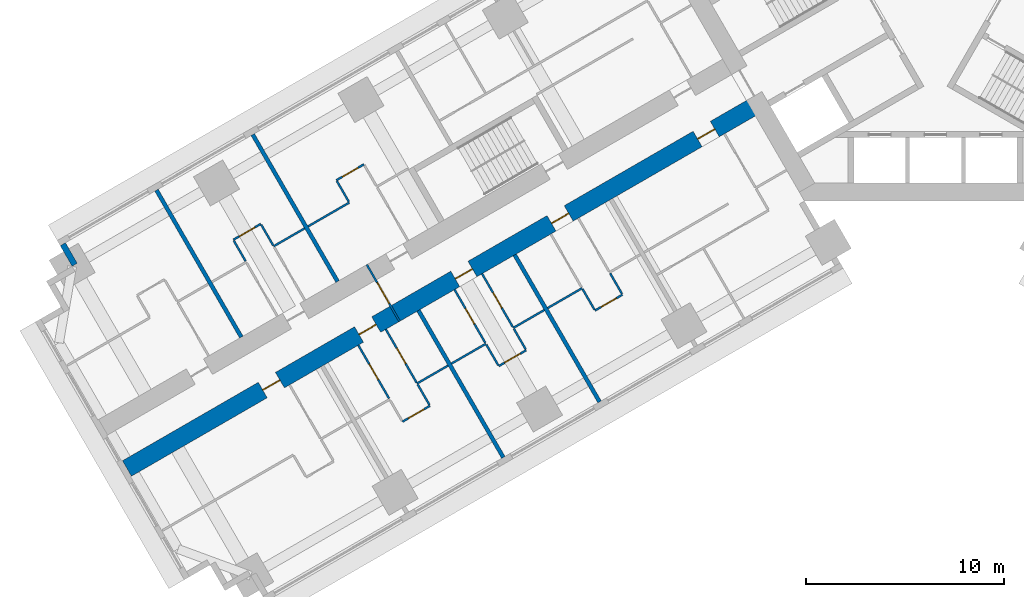
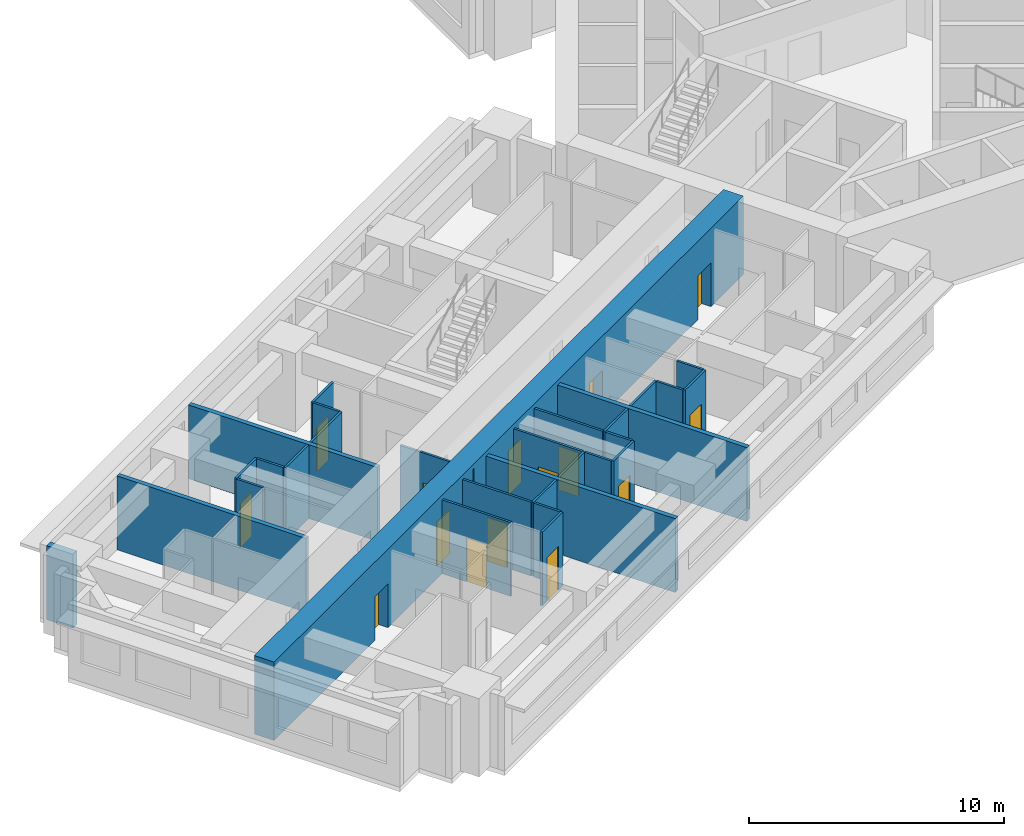
# One storey, part 4 of 16: 30 walls, 15 doors, 15 openings.
"""IFC4 building model written with IfcOpenShell, lengths in metres."""

from ifc_helpers import new_model, si_unit, direction, frame, frame_2d, origin, place, context, subcontext, project, spatial, rectangle, extrude, material, layer, layer_set, type_object, element, fill, save


model = new_model("IFC4")

# Units and contexts
model_context = context("Model", 3, precision=1e-05, world=origin(), true_north=direction((0.0, 1.0)))
body_context = subcontext(model_context, "Body", "Model", "MODEL_VIEW")
ifc_project = project(units=[si_unit("LENGTHUNIT", "METRE"), si_unit("AREAUNIT", "SQUARE_METRE"), si_unit("VOLUMEUNIT", "CUBIC_METRE"), si_unit("PLANEANGLEUNIT", "RADIAN"), si_unit("MASSUNIT", "GRAM", prefix="KILO")], contexts=[model_context])

# Site, building, storey
site_placement = place(None, origin())
site = spatial("IfcSite", under=ifc_project, at=site_placement, CompositionType="ELEMENT")
building_placement = place(site_placement, origin())
building = spatial("IfcBuilding", under=site, at=building_placement, Name="Impinga Residences", CompositionType="ELEMENT")
storey_placement = place(building_placement, frame((0.0, 0.0, 37.25)))
storey = spatial("IfcBuildingStorey", under=building, at=storey_placement, Name="L08", CompositionType="ELEMENT", Elevation=37.25)

# Wall, openings, doors
ifc_material_1 = material(Name="Concrete C70/85", Category="concrete")
ifc_layer_1 = layer(ifc_material_1, 0.89990234375)
ifc_layer_set_1 = layer_set([ifc_layer_1], Name="Concrete C70/85")
wall_type_1 = type_object("IfcWallType", Name="BW1 corridor buttress wall, L05 to L22 900", PredefinedType="SHEAR", material=ifc_layer_set_1)
wall_1_placement = place(storey_placement, frame((-8.910400390625, -6.530029296875, 0.0), z_axis=(0.0, 0.0, 1.0), x_axis=(-0.866025284237, -0.500000207062, 0.0)))
wall_1 = element("IfcWall", 1, at=wall_1_placement, inside=storey, type_object=wall_type_1, Name="Corridor wall BW1 WC L08", PredefinedType="SHEAR", context=body_context, shape_type="SweptSolid", body=[
    extrude(rectangle(XDim=36.75, YDim=0.89990234375, at=frame_2d((18.375, 0.0))), origin(), (0.0, 0.0, 1.0), 3.75),
])
opening_1_placement = place(wall_1_placement, frame((2.550048828125, 0.0, 0.0)))
opening_1 = element("IfcOpeningElement", 2, at=opening_1_placement, cuts=wall_1, Name="Opening D1", PredefinedType="OPENING", context=body_context, shape_type="SweptSolid", body=[
    extrude(rectangle(XDim=1.0, YDim=2.10009765625, at=frame_2d((0.5, 1.050048828125))), frame((0.0, 0.4599609375, 0.0), z_axis=(0.0, -1.0, 0.0), x_axis=(1.0, 0.0, 0.0)), (0.0, 0.0, 1.0), 0.919921875),
])
opening_2_placement = place(wall_1_placement, frame((11.050048828125, 0.0, 0.0)))
opening_2 = element("IfcOpeningElement", 3, at=opening_2_placement, cuts=wall_1, Name="Opening D1", PredefinedType="OPENING", context=body_context, shape_type="SweptSolid", body=[
    extrude(rectangle(XDim=1.0, YDim=2.10009765625, at=frame_2d((0.5, 1.050048828125))), frame((0.0, 0.4599609375, 0.0), z_axis=(0.0, -1.0, 0.0), x_axis=(1.0, 0.0, 0.0)), (0.0, 0.0, 1.0), 0.919921875),
])
opening_3_placement = place(wall_1_placement, frame((16.64990234375, 0.0, 0.0)))
opening_3 = element("IfcOpeningElement", 4, at=opening_3_placement, cuts=wall_1, Name="Opening D1", PredefinedType="OPENING", context=body_context, shape_type="SweptSolid", body=[
    extrude(rectangle(XDim=1.0, YDim=2.10009765625, at=frame_2d((0.5, 1.050048828125))), frame((0.0, 0.4599609375, 0.0), z_axis=(0.0, -1.0, 0.0), x_axis=(1.0, 0.0, 0.0)), (0.0, 0.0, 1.0), 0.919921875),
])
opening_4_placement = place(wall_1_placement, frame((22.25, 0.0, 0.0)))
opening_4 = element("IfcOpeningElement", 5, at=opening_4_placement, cuts=wall_1, Name="Opening D1", PredefinedType="OPENING", context=body_context, shape_type="SweptSolid", body=[
    extrude(rectangle(XDim=1.0, YDim=2.10009765625, at=frame_2d((0.5, 1.050048828125))), frame((0.0, 0.4599609375, 0.0), z_axis=(0.0, -1.0, 0.0), x_axis=(1.0, 0.0, 0.0)), (0.0, 0.0, 1.0), 0.919921875),
])
opening_5_placement = place(wall_1_placement, frame((27.85009765625, 0.0, 0.0)))
opening_5 = element("IfcOpeningElement", 6, at=opening_5_placement, cuts=wall_1, Name="Opening D1", PredefinedType="OPENING", context=body_context, shape_type="SweptSolid", body=[
    extrude(rectangle(XDim=1.0, YDim=2.10009765625, at=frame_2d((0.5, 1.050048828125))), frame((0.0, 0.4599609375, 0.0), z_axis=(0.0, -1.0, 0.0), x_axis=(1.0, 0.0, 0.0)), (0.0, 0.0, 1.0), 0.919921875),
])
ifc_material_2 = material(Name="Timber door set", Category="wood")
door_type_1 = type_object("IfcDoorType", Name="D1 apartment entrance door 1000x2100", OperationType="SINGLE_SWING_LEFT", PredefinedType="DOOR", material=ifc_material_2)
door_1_placement = place(opening_1_placement, origin())
door_1 = element("IfcDoor", 7, at=door_1_placement, inside=storey, type_object=door_type_1, Name="Apartment L08-WA1 entrance", OperationType="SINGLE_SWING_LEFT", OverallHeight=2.10009765625, OverallWidth=1.0, PredefinedType="DOOR", context=body_context, shape_type="SweptSolid", body=[
    extrude(rectangle(XDim=1.0, YDim=2.10009765625, at=frame_2d((0.5, 1.050048828125))), frame((0.0, 0.02490234375, 0.0), z_axis=(0.0, -1.0, 0.0), x_axis=(1.0, 0.0, 0.0)), (0.0, 0.0, 1.0), 0.050048828125),
])
fill(opening_1, door_1)
door_2_placement = place(opening_2_placement, origin())
door_2 = element("IfcDoor", 8, at=door_2_placement, inside=storey, type_object=door_type_1, Name="Apartment L08-WA2 entrance", OperationType="SINGLE_SWING_LEFT", OverallHeight=2.10009765625, OverallWidth=1.0, PredefinedType="DOOR", context=body_context, shape_type="SweptSolid", body=[
    extrude(rectangle(XDim=1.0, YDim=2.10009765625, at=frame_2d((0.5, 1.050048828125))), frame((0.0, 0.02490234375, 0.0), z_axis=(0.0, -1.0, 0.0), x_axis=(1.0, 0.0, 0.0)), (0.0, 0.0, 1.0), 0.050048828125),
])
fill(opening_2, door_2)
door_3_placement = place(opening_3_placement, origin())
door_3 = element("IfcDoor", 9, at=door_3_placement, inside=storey, type_object=door_type_1, Name="Apartment L08-WA3 entrance", OperationType="SINGLE_SWING_LEFT", OverallHeight=2.10009765625, OverallWidth=1.0, PredefinedType="DOOR", context=body_context, shape_type="SweptSolid", body=[
    extrude(rectangle(XDim=1.0, YDim=2.10009765625, at=frame_2d((0.5, 1.050048828125))), frame((0.0, 0.02490234375, 0.0), z_axis=(0.0, -1.0, 0.0), x_axis=(1.0, 0.0, 0.0)), (0.0, 0.0, 1.0), 0.050048828125),
])
fill(opening_3, door_3)
door_4_placement = place(opening_4_placement, origin())
door_4 = element("IfcDoor", 10, at=door_4_placement, inside=storey, type_object=door_type_1, Name="Apartment L08-WA4 entrance", OperationType="SINGLE_SWING_RIGHT", OverallHeight=2.10009765625, OverallWidth=1.0, PredefinedType="DOOR", context=body_context, shape_type="SweptSolid", body=[
    extrude(rectangle(XDim=1.0, YDim=2.10009765625, at=frame_2d((0.5, 1.050048828125))), frame((0.0, 0.02490234375, 0.0), z_axis=(0.0, -1.0, 0.0), x_axis=(1.0, 0.0, 0.0)), (0.0, 0.0, 1.0), 0.050048828125),
])
fill(opening_4, door_4)
door_5_placement = place(opening_5_placement, origin())
door_5 = element("IfcDoor", 11, at=door_5_placement, inside=storey, type_object=door_type_1, Name="Apartment L08-WA5 entrance", OperationType="SINGLE_SWING_RIGHT", OverallHeight=2.10009765625, OverallWidth=1.0, PredefinedType="DOOR", context=body_context, shape_type="SweptSolid", body=[
    extrude(rectangle(XDim=1.0, YDim=2.10009765625, at=frame_2d((0.5, 1.050048828125))), frame((0.0, 0.02490234375, 0.0), z_axis=(0.0, -1.0, 0.0), x_axis=(1.0, 0.0, 0.0)), (0.0, 0.0, 1.0), 0.050048828125),
])
fill(opening_5, door_5)

# Wall, opening, door
ifc_material_3 = material(Name="Concrete blockwork", Category="masonry")
ifc_layer_2 = layer(ifc_material_3, 0.10009765625)
ifc_layer_set_2 = layer_set([ifc_layer_2], Name="CP1 core room partition, blockwork 100")
wall_type_2 = type_object("IfcWallType", Name="CP1 core room partition, blockwork 100", PredefinedType="PARTITIONING", material=ifc_layer_set_2)
wall_2_placement = place(storey_placement, frame((-27.002197265625, -17.494873046875, 0.0), z_axis=(0.0, 0.0, 1.0), x_axis=(-0.499974350878, 0.866040211805, 0.0)))
wall_2 = element("IfcWall", 12, at=wall_2_placement, inside=storey, type_object=wall_type_2, Name="Core room partition, blockwork L08:W:SCR", PredefinedType="PARTITIONING", context=body_context, shape_type="SweptSolid", body=[
    extrude(rectangle(XDim=3.300048828125, YDim=0.10009765625, at=frame_2d((1.64990234375, 0.0))), origin(), (0.0, 0.0, 1.0), 3.530029296875),
])
opening_6_placement = place(wall_2_placement, frame((1.050048828125, 0.0, 0.0)))
opening_6 = element("IfcOpeningElement", 13, at=opening_6_placement, cuts=wall_2, Name="Opening D3", PredefinedType="OPENING", context=body_context, shape_type="SweptSolid", body=[
    extrude(rectangle(XDim=1.199951171875, YDim=2.10009765625, at=frame_2d((0.60009765625, 1.050048828125))), frame((0.0, 0.06005859375, 0.0), z_axis=(0.0, -1.0, 0.0), x_axis=(1.0, 0.0, 0.0)), (0.0, 0.0, 1.0), 0.1201171875),
])
door_type_2 = type_object("IfcDoorType", Name="D3 room door, leaf and a half 1200x2100", OperationType="DOUBLE_SWING_LEFT", PredefinedType="DOOR", material=ifc_material_2)
door_6_placement = place(opening_6_placement, origin())
door_6 = element("IfcDoor", 14, at=door_6_placement, inside=storey, type_object=door_type_2, Name="Corridor smoke door W", OperationType="DOUBLE_SWING_LEFT", OverallHeight=2.10009765625, OverallWidth=1.199951171875, PredefinedType="DOOR", context=body_context, shape_type="SweptSolid", body=[
    extrude(rectangle(XDim=1.199951171875, YDim=2.10009765625, at=frame_2d((0.60009765625, 1.050048828125))), frame((0.0, 0.02490234375, 0.0), z_axis=(0.0, -1.0, 0.0), x_axis=(1.0, 0.0, 0.0)), (0.0, 0.0, 1.0), 0.050048828125),
])
fill(opening_6, door_6)

# Walls
ifc_material_4 = material(Name="Terracotta rainscreen on blockwork", Category="masonry")
ifc_layer_3 = layer(ifc_material_4, 0.300048828125)
ifc_layer_set_3 = layer_set([ifc_layer_3], Name="EW1 external wall, terracotta rainscreen on blockwork 300")
wall_type_3 = type_object("IfcWallType", Name="EW1 external wall, terracotta rainscreen on blockwork 300", PredefinedType="SOLIDWALL", material=ifc_layer_set_3)
wall_3_placement = place(storey_placement, frame((-43.37109375, -14.64208984375, 0.0), z_axis=(0.0, 0.0, 1.0), x_axis=(-0.500029051137, 0.866008630453, 0.0)))
element("IfcWall", 15, at=wall_3_placement, inside=storey, type_object=wall_type_3, Name="External wall EW1 L08", PredefinedType="SOLIDWALL", context=body_context, shape_type="SweptSolid", body=[
    extrude(rectangle(XDim=1.19482421875, YDim=0.300048828125, at=frame_2d((0.597412109375, 0.0))), origin(), (0.0, 0.0, 1.0), 3.530029296875),
])
ifc_material_5 = material(Name="Gypsum board on steel studs", Category="steel")
ifc_layer_4 = layer(ifc_material_5, 0.10009765625)
ifc_layer_set_4 = layer_set([ifc_layer_4], Name="Gypsum board on steel studs")
wall_type_4 = type_object("IfcWallType", Name="IP1 partition 100", PredefinedType="PARTITIONING", material=ifc_layer_set_4)
wall_4_placement = place(storey_placement, frame((-17.8056640625, -15.82275390625, 0.0), z_axis=(0.0, 0.0, 1.0), x_axis=(-0.866041268327, -0.499972520799, 0.0)))
element("IfcWall", 16, at=wall_4_placement, inside=storey, type_object=wall_type_4, Name="Partition L08-WA2:DIV1", PredefinedType="PARTITIONING", context=body_context, shape_type="SweptSolid", body=[
    extrude(rectangle(XDim=2.0, YDim=0.10009765625, at=frame_2d((1.0, 0.0))), origin(), (0.0, 0.0, 1.0), 3.530029296875),
])

# Wall, opening, door
wall_5_placement = place(storey_placement, frame((-15.77001953125, -16.1484375, 0.0), z_axis=(0.0, 0.0, 1.0), x_axis=(-0.866028054938, -0.499995408039, 0.0)))
wall_5 = element("IfcWall", 17, at=wall_5_placement, inside=storey, type_object=wall_type_4, Name="Partition L08-WA2:STRIP", PredefinedType="PARTITIONING", context=body_context, shape_type="SweptSolid", body=[
    extrude(rectangle(XDim=1.60009765625, YDim=0.10009765625, at=frame_2d((0.800048828125, 0.0))), origin(), (0.0, 0.0, 1.0), 3.530029296875),
])
opening_7_placement = place(wall_5_placement, frame((0.35009765625, 0.0, 0.0)))
opening_7 = element("IfcOpeningElement", 18, at=opening_7_placement, cuts=wall_5, Name="Opening D2", PredefinedType="OPENING", context=body_context, shape_type="SweptSolid", body=[
    extrude(rectangle(XDim=0.89990234375, YDim=2.10009765625, at=frame_2d((0.449951171875, 1.050048828125))), frame((0.0, 0.06005859375, 0.0), z_axis=(0.0, -1.0, 0.0), x_axis=(1.0, 0.0, 0.0)), (0.0, 0.0, 1.0), 0.1201171875),
])
door_type_3 = type_object("IfcDoorType", Name="D2 internal door 900x2100", OperationType="SINGLE_SWING_LEFT", PredefinedType="DOOR", material=ifc_material_2)
door_7_placement = place(opening_7_placement, origin())
door_7 = element("IfcDoor", 19, at=door_7_placement, inside=storey, type_object=door_type_3, Name="Apartment L08-WA2 room door", OperationType="SINGLE_SWING_LEFT", OverallHeight=2.10009765625, OverallWidth=0.89990234375, PredefinedType="DOOR", context=body_context, shape_type="SweptSolid", body=[
    extrude(rectangle(XDim=0.89990234375, YDim=2.10009765625, at=frame_2d((0.449951171875, 1.050048828125))), frame((0.0, 0.02490234375, 0.0), z_axis=(0.0, -1.0, 0.0), x_axis=(1.0, 0.0, 0.0)), (0.0, 0.0, 1.0), 0.050048828125),
])
fill(opening_7, door_7)

# Walls
wall_6_placement = place(storey_placement, frame((-16.39501953125, -15.06591796875, 0.0), z_axis=(0.0, 0.0, 1.0), x_axis=(0.499880961361, -0.866094119867, 0.0)))
element("IfcWall", 20, at=wall_6_placement, inside=storey, type_object=wall_type_4, Name="Partition L08-WA2:SE0", PredefinedType="PARTITIONING", context=body_context, shape_type="SweptSolid", body=[
    extrude(rectangle(XDim=1.199951171875, YDim=0.10009765625, at=frame_2d((0.60009765625, 0.0))), origin(), (0.0, 0.0, 1.0), 3.530029296875),
])
wall_7_placement = place(storey_placement, frame((-17.78076171875, -15.865966796875, 0.0), z_axis=(0.0, 0.0, 1.0), x_axis=(0.500033551112, -0.866006032174, 0.0)))
element("IfcWall", 21, at=wall_7_placement, inside=storey, type_object=wall_type_4, Name="Partition L08-WA2:SE1", PredefinedType="PARTITIONING", context=body_context, shape_type="SweptSolid", body=[
    extrude(rectangle(XDim=1.2001953125, YDim=0.10009765625, at=frame_2d((0.60009765625, 0.0))), origin(), (0.0, 0.0, 1.0), 3.530029296875),
])
wall_8_placement = place(storey_placement, frame((-19.7109375, -16.922607421875, 0.0), z_axis=(0.0, 0.0, 1.0), x_axis=(-0.865989075817, -0.500062916607, 0.0)))
element("IfcWall", 22, at=wall_8_placement, inside=storey, type_object=wall_type_4, Name="Partition L08-WA3:DIV0", PredefinedType="PARTITIONING", context=body_context, shape_type="SweptSolid", body=[
    extrude(rectangle(XDim=1.800048828125, YDim=0.10009765625, at=frame_2d((0.89990234375, 0.0))), origin(), (0.0, 0.0, 1.0), 3.530029296875),
])
wall_9_placement = place(storey_placement, frame((-22.655517578125, -18.622802734375, 0.0), z_axis=(0.0, 0.0, 1.0), x_axis=(-0.866010750942, -0.50002537861, 0.0)))
element("IfcWall", 23, at=wall_9_placement, inside=storey, type_object=wall_type_4, Name="Partition L08-WA3:DIV1", PredefinedType="PARTITIONING", context=body_context, shape_type="SweptSolid", body=[
    extrude(rectangle(XDim=2.0, YDim=0.10009765625, at=frame_2d((1.0, 0.0))), origin(), (0.0, 0.0, 1.0), 3.530029296875),
])

# Wall, opening, door
wall_10_placement = place(storey_placement, frame((-20.619873046875, -18.948486328125, 0.0), z_axis=(0.0, 0.0, 1.0), x_axis=(-0.865989903783, -0.500061482766, 0.0)))
wall_10 = element("IfcWall", 24, at=wall_10_placement, inside=storey, type_object=wall_type_4, Name="Partition L08-WA3:STRIP", PredefinedType="PARTITIONING", context=body_context, shape_type="SweptSolid", body=[
    extrude(rectangle(XDim=1.599853515625, YDim=0.10009765625, at=frame_2d((0.7998046875, 0.0))), origin(), (0.0, 0.0, 1.0), 3.530029296875),
])
opening_8_placement = place(wall_10_placement, frame((0.35009765625, 0.0, 0.0)))
opening_8 = element("IfcOpeningElement", 25, at=opening_8_placement, cuts=wall_10, Name="Opening D2", PredefinedType="OPENING", context=body_context, shape_type="SweptSolid", body=[
    extrude(rectangle(XDim=0.89990234375, YDim=2.10009765625, at=frame_2d((0.449951171875, 1.050048828125))), frame((0.0, 0.06005859375, 0.0), z_axis=(0.0, -1.0, 0.0), x_axis=(1.0, 0.0, 0.0)), (0.0, 0.0, 1.0), 0.1201171875),
])
door_8_placement = place(opening_8_placement, origin())
door_8 = element("IfcDoor", 26, at=door_8_placement, inside=storey, type_object=door_type_3, Name="Apartment L08-WA3 room door", OperationType="SINGLE_SWING_LEFT", OverallHeight=2.10009765625, OverallWidth=0.89990234375, PredefinedType="DOOR", context=body_context, shape_type="SweptSolid", body=[
    extrude(rectangle(XDim=0.89990234375, YDim=2.10009765625, at=frame_2d((0.449951171875, 1.050048828125))), frame((0.0, 0.02490234375, 0.0), z_axis=(0.0, -1.0, 0.0), x_axis=(1.0, 0.0, 0.0)), (0.0, 0.0, 1.0), 0.050048828125),
])
fill(opening_8, door_8)

# Walls
wall_11_placement = place(storey_placement, frame((-21.244873046875, -17.865966796875, 0.0), z_axis=(0.0, 0.0, 1.0), x_axis=(0.500033551112, -0.866006032174, 0.0)))
element("IfcWall", 27, at=wall_11_placement, inside=storey, type_object=wall_type_4, Name="Partition L08-WA3:SE0", PredefinedType="PARTITIONING", context=body_context, shape_type="SweptSolid", body=[
    extrude(rectangle(XDim=1.2001953125, YDim=0.10009765625, at=frame_2d((0.60009765625, 0.0))), origin(), (0.0, 0.0, 1.0), 3.530029296875),
])
wall_12_placement = place(storey_placement, frame((-22.63037109375, -18.666015625, 0.0), z_axis=(0.0, 0.0, 1.0), x_axis=(0.499880961361, -0.866094119867, 0.0)))
element("IfcWall", 28, at=wall_12_placement, inside=storey, type_object=wall_type_4, Name="Partition L08-WA3:SE1", PredefinedType="PARTITIONING", context=body_context, shape_type="SweptSolid", body=[
    extrude(rectangle(XDim=1.199951171875, YDim=0.10009765625, at=frame_2d((0.60009765625, 0.0))), origin(), (0.0, 0.0, 1.0), 3.530029296875),
])

# Wall, opening, door
wall_13_placement = place(storey_placement, frame((-22.8447265625, -15.0947265625, 0.0), z_axis=(0.0, 0.0, 1.0), x_axis=(0.499967891604, -0.866043940782, 0.0)))
wall_13 = element("IfcWall", 29, at=wall_13_placement, inside=storey, type_object=wall_type_4, Name="Partition L08-WA3:IB1", PredefinedType="PARTITIONING", context=body_context, shape_type="SweptSolid", body=[
    extrude(rectangle(XDim=3.099853515625, YDim=0.10009765625, at=frame_2d((1.5498046875, 0.0))), origin(), (0.0, 0.0, 1.0), 3.530029296875),
])
opening_9_placement = place(wall_13_placement, frame((1.10009765625, 0.0, 0.0)))
opening_9 = element("IfcOpeningElement", 30, at=opening_9_placement, cuts=wall_13, Name="Opening D2", PredefinedType="OPENING", context=body_context, shape_type="SweptSolid", body=[
    extrude(rectangle(XDim=0.89990234375, YDim=2.10009765625, at=frame_2d((0.449951171875, 1.050048828125))), frame((0.0, 0.06005859375, 0.0), z_axis=(0.0, -1.0, 0.0), x_axis=(1.0, 0.0, 0.0)), (0.0, 0.0, 1.0), 0.1201171875),
])
door_9_placement = place(opening_9_placement, origin())
door_9 = element("IfcDoor", 31, at=door_9_placement, inside=storey, type_object=door_type_3, Name="Apartment L08-WA3 bathroom door", OperationType="SINGLE_SWING_LEFT", OverallHeight=2.10009765625, OverallWidth=0.89990234375, PredefinedType="DOOR", context=body_context, shape_type="SweptSolid", body=[
    extrude(rectangle(XDim=0.89990234375, YDim=2.10009765625, at=frame_2d((0.449951171875, 1.050048828125))), frame((0.0, 0.02490234375, 0.0), z_axis=(0.0, -1.0, 0.0), x_axis=(1.0, 0.0, 0.0)), (0.0, 0.0, 1.0), 0.050048828125),
])
fill(opening_9, door_9)

wall_14_placement = place(storey_placement, frame((-24.23046875, -15.894775390625, 0.0), z_axis=(0.0, 0.0, 1.0), x_axis=(0.500026960575, -0.86600983753, 0.0)))
wall_14 = element("IfcWall", 32, at=wall_14_placement, inside=storey, type_object=wall_type_4, Name="Partition L08-WA3:IB2", PredefinedType="PARTITIONING", context=body_context, shape_type="SweptSolid", body=[
    extrude(rectangle(XDim=3.099853515625, YDim=0.10009765625, at=frame_2d((1.5498046875, 0.0))), origin(), (0.0, 0.0, 1.0), 3.530029296875),
])
opening_10_placement = place(wall_14_placement, frame((1.10009765625, 0.0, 0.0)))
opening_10 = element("IfcOpeningElement", 33, at=opening_10_placement, cuts=wall_14, Name="Opening D2", PredefinedType="OPENING", context=body_context, shape_type="SweptSolid", body=[
    extrude(rectangle(XDim=0.89990234375, YDim=2.10009765625, at=frame_2d((0.449951171875, 1.050048828125))), frame((0.0, 0.06005859375, 0.0), z_axis=(0.0, -1.0, 0.0), x_axis=(1.0, 0.0, 0.0)), (0.0, 0.0, 1.0), 0.1201171875),
])
door_10_placement = place(opening_10_placement, origin())
door_10 = element("IfcDoor", 34, at=door_10_placement, inside=storey, type_object=door_type_3, Name="Apartment L08-WA3 WC door", OperationType="SINGLE_SWING_LEFT", OverallHeight=2.10009765625, OverallWidth=0.89990234375, PredefinedType="DOOR", context=body_context, shape_type="SweptSolid", body=[
    extrude(rectangle(XDim=0.89990234375, YDim=2.10009765625, at=frame_2d((0.449951171875, 1.050048828125))), frame((0.0, 0.02490234375, 0.0), z_axis=(0.0, -1.0, 0.0), x_axis=(1.0, 0.0, 0.0)), (0.0, 0.0, 1.0), 0.050048828125),
])
fill(opening_10, door_10)

# Wall
wall_15_placement = place(storey_placement, frame((-24.560791015625, -19.72265625, 0.0), z_axis=(0.0, 0.0, 1.0), x_axis=(-0.865989075817, -0.500062916607, 0.0)))
element("IfcWall", 35, at=wall_15_placement, inside=storey, type_object=wall_type_4, Name="Partition L08-WA4:DIV0", PredefinedType="PARTITIONING", context=body_context, shape_type="SweptSolid", body=[
    extrude(rectangle(XDim=1.800048828125, YDim=0.10009765625, at=frame_2d((0.89990234375, 0.0))), origin(), (0.0, 0.0, 1.0), 3.530029296875),
])

# Wall, opening, door
wall_16_placement = place(storey_placement, frame((-25.469482421875, -21.74853515625, 0.0), z_axis=(0.0, 0.0, 1.0), x_axis=(-0.866028054938, -0.499995408039, 0.0)))
wall_16 = element("IfcWall", 36, at=wall_16_placement, inside=storey, type_object=wall_type_4, Name="Partition L08-WA4:STRIP", PredefinedType="PARTITIONING", context=body_context, shape_type="SweptSolid", body=[
    extrude(rectangle(XDim=1.60009765625, YDim=0.10009765625, at=frame_2d((0.800048828125, 0.0))), origin(), (0.0, 0.0, 1.0), 3.530029296875),
])
opening_11_placement = place(wall_16_placement, frame((0.35009765625, 0.0, 0.0)))
opening_11 = element("IfcOpeningElement", 37, at=opening_11_placement, cuts=wall_16, Name="Opening D2", PredefinedType="OPENING", context=body_context, shape_type="SweptSolid", body=[
    extrude(rectangle(XDim=0.89990234375, YDim=2.10009765625, at=frame_2d((0.449951171875, 1.050048828125))), frame((0.0, 0.06005859375, 0.0), z_axis=(0.0, -1.0, 0.0), x_axis=(1.0, 0.0, 0.0)), (0.0, 0.0, 1.0), 0.1201171875),
])
door_11_placement = place(opening_11_placement, origin())
door_11 = element("IfcDoor", 38, at=door_11_placement, inside=storey, type_object=door_type_3, Name="Apartment L08-WA4 room door", OperationType="SINGLE_SWING_LEFT", OverallHeight=2.10009765625, OverallWidth=0.89990234375, PredefinedType="DOOR", context=body_context, shape_type="SweptSolid", body=[
    extrude(rectangle(XDim=0.89990234375, YDim=2.10009765625, at=frame_2d((0.449951171875, 1.050048828125))), frame((0.0, 0.02490234375, 0.0), z_axis=(0.0, -1.0, 0.0), x_axis=(1.0, 0.0, 0.0)), (0.0, 0.0, 1.0), 0.050048828125),
])
fill(opening_11, door_11)

# Wall
wall_17_placement = place(storey_placement, frame((-26.094482421875, -20.666015625, 0.0), z_axis=(0.0, 0.0, 1.0), x_axis=(0.499880961361, -0.866094119867, 0.0)))
element("IfcWall", 39, at=wall_17_placement, inside=storey, type_object=wall_type_4, Name="Partition L08-WA4:SE0", PredefinedType="PARTITIONING", context=body_context, shape_type="SweptSolid", body=[
    extrude(rectangle(XDim=1.199951171875, YDim=0.10009765625, at=frame_2d((0.60009765625, 0.0))), origin(), (0.0, 0.0, 1.0), 3.530029296875),
])

# Wall, opening, door
wall_18_placement = place(storey_placement, frame((-27.694580078125, -17.894775390625, 0.0), z_axis=(0.0, 0.0, 1.0), x_axis=(0.500026960575, -0.86600983753, 0.0)))
wall_18 = element("IfcWall", 40, at=wall_18_placement, inside=storey, type_object=wall_type_4, Name="Partition L08-WA4:IB1", PredefinedType="PARTITIONING", context=body_context, shape_type="SweptSolid", body=[
    extrude(rectangle(XDim=3.099853515625, YDim=0.10009765625, at=frame_2d((1.5498046875, 0.0))), origin(), (0.0, 0.0, 1.0), 3.530029296875),
])
opening_12_placement = place(wall_18_placement, frame((1.10009765625, 0.0, 0.0)))
opening_12 = element("IfcOpeningElement", 41, at=opening_12_placement, cuts=wall_18, Name="Opening D2", PredefinedType="OPENING", context=body_context, shape_type="SweptSolid", body=[
    extrude(rectangle(XDim=0.89990234375, YDim=2.10009765625, at=frame_2d((0.449951171875, 1.050048828125))), frame((0.0, 0.06005859375, 0.0), z_axis=(0.0, -1.0, 0.0), x_axis=(1.0, 0.0, 0.0)), (0.0, 0.0, 1.0), 0.1201171875),
])
door_12_placement = place(opening_12_placement, origin())
door_12 = element("IfcDoor", 42, at=door_12_placement, inside=storey, type_object=door_type_3, Name="Apartment L08-WA4 bathroom door", OperationType="SINGLE_SWING_LEFT", OverallHeight=2.10009765625, OverallWidth=0.89990234375, PredefinedType="DOOR", context=body_context, shape_type="SweptSolid", body=[
    extrude(rectangle(XDim=0.89990234375, YDim=2.10009765625, at=frame_2d((0.449951171875, 1.050048828125))), frame((0.0, 0.02490234375, 0.0), z_axis=(0.0, -1.0, 0.0), x_axis=(1.0, 0.0, 0.0)), (0.0, 0.0, 1.0), 0.050048828125),
])
fill(opening_12, door_12)

wall_19_placement = place(storey_placement, frame((-29.080078125, -18.69482421875, 0.0), z_axis=(0.0, 0.0, 1.0), x_axis=(0.499967891604, -0.866043940782, 0.0)))
wall_19 = element("IfcWall", 43, at=wall_19_placement, inside=storey, type_object=wall_type_4, Name="Partition L08-WA4:IB2", PredefinedType="PARTITIONING", context=body_context, shape_type="SweptSolid", body=[
    extrude(rectangle(XDim=3.099853515625, YDim=0.10009765625, at=frame_2d((1.5498046875, 0.0))), origin(), (0.0, 0.0, 1.0), 3.530029296875),
])
opening_13_placement = place(wall_19_placement, frame((1.10009765625, 0.0, 0.0)))
opening_13 = element("IfcOpeningElement", 44, at=opening_13_placement, cuts=wall_19, Name="Opening D2", PredefinedType="OPENING", context=body_context, shape_type="SweptSolid", body=[
    extrude(rectangle(XDim=0.89990234375, YDim=2.10009765625, at=frame_2d((0.449951171875, 1.050048828125))), frame((0.0, 0.06005859375, 0.0), z_axis=(0.0, -1.0, 0.0), x_axis=(1.0, 0.0, 0.0)), (0.0, 0.0, 1.0), 0.1201171875),
])
door_13_placement = place(opening_13_placement, origin())
door_13 = element("IfcDoor", 45, at=door_13_placement, inside=storey, type_object=door_type_3, Name="Apartment L08-WA4 WC door", OperationType="SINGLE_SWING_LEFT", OverallHeight=2.10009765625, OverallWidth=0.89990234375, PredefinedType="DOOR", context=body_context, shape_type="SweptSolid", body=[
    extrude(rectangle(XDim=0.89990234375, YDim=2.10009765625, at=frame_2d((0.449951171875, 1.050048828125))), frame((0.0, 0.02490234375, 0.0), z_axis=(0.0, -1.0, 0.0), x_axis=(1.0, 0.0, 0.0)), (0.0, 0.0, 1.0), 0.050048828125),
])
fill(opening_13, door_13)

# Wall
wall_20_placement = place(storey_placement, frame((-29.533935546875, -11.5087890625, 0.0), z_axis=(0.0, 0.0, 1.0), x_axis=(-0.866024647952, -0.500001309137, 0.0)))
element("IfcWall", 46, at=wall_20_placement, inside=storey, type_object=wall_type_4, Name="Partition L08-WF2:DIV1", PredefinedType="PARTITIONING", context=body_context, shape_type="SweptSolid", body=[
    extrude(rectangle(XDim=2.39990234375, YDim=0.10009765625, at=frame_2d((1.199951171875, 0.0))), origin(), (0.0, 0.0, 1.0), 3.530029296875),
])

# Wall, opening, door
wall_21_placement = place(storey_placement, frame((-28.79833984375, -9.5830078125, 0.0), z_axis=(0.0, 0.0, 1.0), x_axis=(-0.865989903783, -0.500061482766, 0.0)))
wall_21 = element("IfcWall", 47, at=wall_21_placement, inside=storey, type_object=wall_type_4, Name="Partition L08-WF2:STRIP", PredefinedType="PARTITIONING", context=body_context, shape_type="SweptSolid", body=[
    extrude(rectangle(XDim=1.599853515625, YDim=0.10009765625, at=frame_2d((0.7998046875, 0.0))), origin(), (0.0, 0.0, 1.0), 3.530029296875),
])
opening_14_placement = place(wall_21_placement, frame((0.35009765625, 0.0, 0.0)))
opening_14 = element("IfcOpeningElement", 48, at=opening_14_placement, cuts=wall_21, Name="Opening D2", PredefinedType="OPENING", context=body_context, shape_type="SweptSolid", body=[
    extrude(rectangle(XDim=0.89990234375, YDim=2.10009765625, at=frame_2d((0.449951171875, 1.050048828125))), frame((0.0, 0.06005859375, 0.0), z_axis=(0.0, -1.0, 0.0), x_axis=(1.0, 0.0, 0.0)), (0.0, 0.0, 1.0), 0.1201171875),
])
door_14_placement = place(opening_14_placement, origin())
door_14 = element("IfcDoor", 49, at=door_14_placement, inside=storey, type_object=door_type_3, Name="Apartment L08-WF2 room door", OperationType="SINGLE_SWING_LEFT", OverallHeight=2.10009765625, OverallWidth=0.89990234375, PredefinedType="DOOR", context=body_context, shape_type="SweptSolid", body=[
    extrude(rectangle(XDim=0.89990234375, YDim=2.10009765625, at=frame_2d((0.449951171875, 1.050048828125))), frame((0.0, 0.02490234375, 0.0), z_axis=(0.0, -1.0, 0.0), x_axis=(1.0, 0.0, 0.0)), (0.0, 0.0, 1.0), 0.050048828125),
])
fill(opening_14, door_14)

# Walls
wall_22_placement = place(storey_placement, frame((-29.558837890625, -11.465576171875, 0.0), z_axis=(0.0, 0.0, 1.0), x_axis=(-0.500033551112, 0.866006032174, 0.0)))
element("IfcWall", 50, at=wall_22_placement, inside=storey, type_object=wall_type_4, Name="Partition L08-WF2:SE1", PredefinedType="PARTITIONING", context=body_context, shape_type="SweptSolid", body=[
    extrude(rectangle(XDim=1.2001953125, YDim=0.10009765625, at=frame_2d((0.60009765625, 0.0))), origin(), (0.0, 0.0, 1.0), 3.530029296875),
])
wall_23_placement = place(storey_placement, frame((-31.78564453125, -12.808837890625, 0.0), z_axis=(0.0, 0.0, 1.0), x_axis=(-0.866047807691, -0.499961193289, 0.0)))
element("IfcWall", 51, at=wall_23_placement, inside=storey, type_object=wall_type_4, Name="Partition L08-WF3:DIV0", PredefinedType="PARTITIONING", context=body_context, shape_type="SweptSolid", body=[
    extrude(rectangle(XDim=1.800048828125, YDim=0.10009765625, at=frame_2d((0.89990234375, 0.0))), origin(), (0.0, 0.0, 1.0), 3.530029296875),
])

# Wall, opening, door
wall_24_placement = place(storey_placement, frame((-33.994384765625, -12.5830078125, 0.0), z_axis=(0.0, 0.0, 1.0), x_axis=(-0.866028054938, -0.499995408039, 0.0)))
wall_24 = element("IfcWall", 52, at=wall_24_placement, inside=storey, type_object=wall_type_4, Name="Partition L08-WF3:STRIP", PredefinedType="PARTITIONING", context=body_context, shape_type="SweptSolid", body=[
    extrude(rectangle(XDim=1.60009765625, YDim=0.10009765625, at=frame_2d((0.800048828125, 0.0))), origin(), (0.0, 0.0, 1.0), 3.530029296875),
])
opening_15_placement = place(wall_24_placement, frame((0.35009765625, 0.0, 0.0)))
opening_15 = element("IfcOpeningElement", 53, at=opening_15_placement, cuts=wall_24, Name="Opening D2", PredefinedType="OPENING", context=body_context, shape_type="SweptSolid", body=[
    extrude(rectangle(XDim=0.89990234375, YDim=2.10009765625, at=frame_2d((0.449951171875, 1.050048828125))), frame((0.0, 0.06005859375, 0.0), z_axis=(0.0, -1.0, 0.0), x_axis=(1.0, 0.0, 0.0)), (0.0, 0.0, 1.0), 0.1201171875),
])
door_15_placement = place(opening_15_placement, origin())
door_15 = element("IfcDoor", 54, at=door_15_placement, inside=storey, type_object=door_type_3, Name="Apartment L08-WF3 room door", OperationType="SINGLE_SWING_LEFT", OverallHeight=2.10009765625, OverallWidth=0.89990234375, PredefinedType="DOOR", context=body_context, shape_type="SweptSolid", body=[
    extrude(rectangle(XDim=0.89990234375, YDim=2.10009765625, at=frame_2d((0.449951171875, 1.050048828125))), frame((0.0, 0.02490234375, 0.0), z_axis=(0.0, -1.0, 0.0), x_axis=(1.0, 0.0, 0.0)), (0.0, 0.0, 1.0), 0.050048828125),
])
fill(opening_15, door_15)

# Walls
wall_25_placement = place(storey_placement, frame((-33.369384765625, -13.66552734375, 0.0), z_axis=(0.0, 0.0, 1.0), x_axis=(-0.500033551112, 0.866006032174, 0.0)))
element("IfcWall", 55, at=wall_25_placement, inside=storey, type_object=wall_type_4, Name="Partition L08-WF3:SE0", PredefinedType="PARTITIONING", context=body_context, shape_type="SweptSolid", body=[
    extrude(rectangle(XDim=1.2001953125, YDim=0.10009765625, at=frame_2d((0.60009765625, 0.0))), origin(), (0.0, 0.0, 1.0), 3.530029296875),
])
wall_26_placement = place(storey_placement, frame((-34.755126953125, -14.465576171875, 0.0), z_axis=(0.0, 0.0, 1.0), x_axis=(-0.499880961361, 0.866094119867, 0.0)))
element("IfcWall", 56, at=wall_26_placement, inside=storey, type_object=wall_type_4, Name="Partition L08-WF3:SE1", PredefinedType="PARTITIONING", context=body_context, shape_type="SweptSolid", body=[
    extrude(rectangle(XDim=1.199951171875, YDim=0.10009765625, at=frame_2d((0.60009765625, 0.0))), origin(), (0.0, 0.0, 1.0), 3.530029296875),
])
ifc_layer_5 = layer(ifc_material_3, 0.199951171875)
ifc_layer_set_5 = layer_set([ifc_layer_5], Name="PW1 party wall between apartments 200")
wall_type_5 = type_object("IfcWallType", Name="PW1 party wall between apartments 200", PredefinedType="SOLIDWALL", material=ifc_layer_set_5)
wall_27_placement = place(storey_placement, frame((-21.199462890625, -14.144775390625, 0.0), z_axis=(0.0, 0.0, 1.0), x_axis=(0.500011643316, -0.866018681408, 0.0)))
element("IfcWall", 57, at=wall_27_placement, inside=storey, type_object=wall_type_5, Name="Party wall between apartments L08-WA2:PARTY", PredefinedType="SOLIDWALL", context=body_context, shape_type="SweptSolid", body=[
    extrude(rectangle(XDim=8.550048828125, YDim=0.199951171875, at=frame_2d((4.27490234375, 0.0))), origin(), (0.0, 0.0, 1.0), 3.530029296875),
])
wall_28_placement = place(storey_placement, frame((-26.049072265625, -16.94482421875, 0.0), z_axis=(0.0, 0.0, 1.0), x_axis=(0.500002592159, -0.866023907196, 0.0)))
element("IfcWall", 58, at=wall_28_placement, inside=storey, type_object=wall_type_5, Name="Party wall between apartments L08-WA3:PARTY", PredefinedType="SOLIDWALL", context=body_context, shape_type="SweptSolid", body=[
    extrude(rectangle(XDim=8.5498046875, YDim=0.199951171875, at=frame_2d((4.27490234375, 0.0))), origin(), (0.0, 0.0, 1.0), 3.530029296875),
])
for number, where, z_axis, x_axis, name in (
    (59, (-30.1240234375, -15.48681640625, 0.0), (0.0, 0.0, 1.0), (-0.499990227581, 0.86603104582, 0.0), "Party wall between apartments L08-WF2:PARTY"),
    (60, (-34.9736328125, -18.286865234375, 0.0), (0.0, 0.0, 1.0), (-0.500011643316, 0.866018681408, 0.0), "Party wall between apartments L08-WF3:PARTY"),
):
    element("IfcWall", number, at=place(storey_placement, frame(where, z_axis=z_axis, x_axis=x_axis)), inside=storey, type_object=wall_type_5, Name=name, PredefinedType="SOLIDWALL", context=body_context, shape_type="SweptSolid", body=[
        extrude(rectangle(XDim=8.550048828125, YDim=0.199951171875, at=frame_2d((4.27490234375, 0.0))), origin(), (0.0, 0.0, 1.0), 3.530029296875),
    ])

save(model, "model.ifc")
